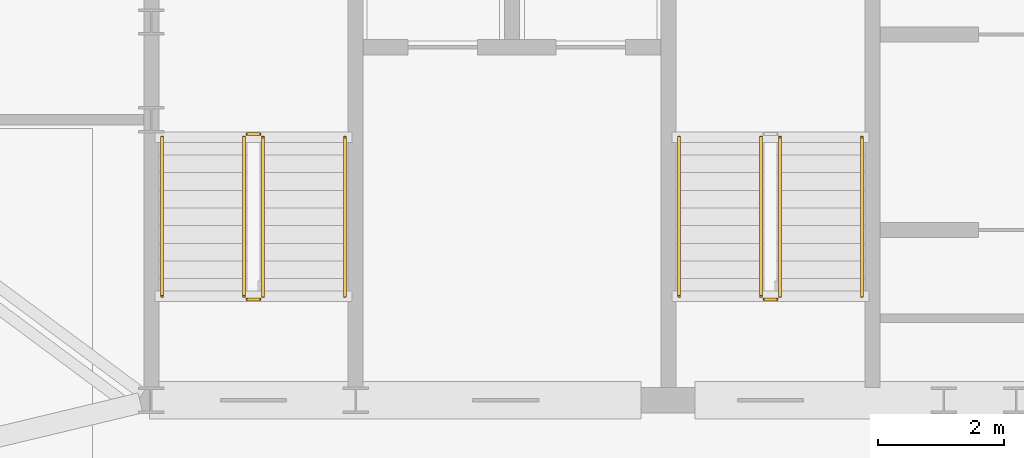
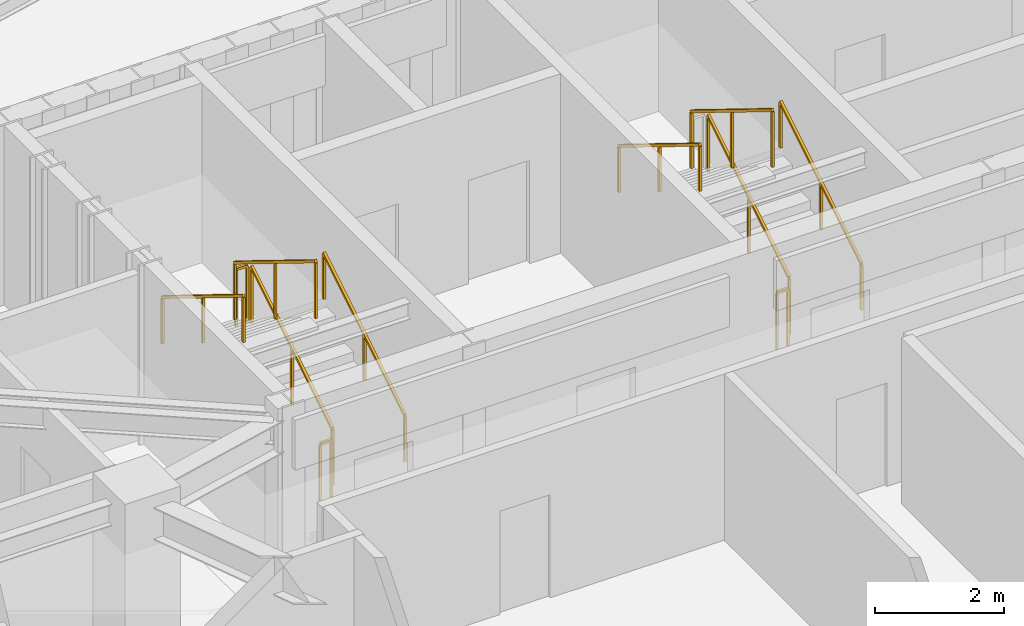
# One storey, part 7 of 10: 11 railings.
"""IFC4 building model written with IfcOpenShell, lengths in metres."""

from ifc_helpers import new_model, si_unit, direction, frame, origin, origin_2d, place, context, subcontext, project, spatial, rectangle, extrude, material, type_object, element, save


model = new_model("IFC4")

# Units and contexts
model_context = context("Model", 3, precision=1e-05, world=origin(), true_north=direction((0.0, 1.0)))
body_context = subcontext(model_context, "Body", "Model", "MODEL_VIEW")
ifc_project = project(units=[si_unit("LENGTHUNIT", "METRE"), si_unit("AREAUNIT", "SQUARE_METRE"), si_unit("VOLUMEUNIT", "CUBIC_METRE"), si_unit("PLANEANGLEUNIT", "RADIAN"), si_unit("MASSUNIT", "GRAM", prefix="KILO")], contexts=[model_context])

# Site, building, storey
site_placement = place(None, origin())
site = spatial("IfcSite", under=ifc_project, at=site_placement, CompositionType="ELEMENT")
building_placement = place(site_placement, origin())
building = spatial("IfcBuilding", under=site, at=building_placement, Name="Haldorwick Loom Tower", CompositionType="ELEMENT")
storey_placement = place(building_placement, frame((0.0, 0.0, 240.89990234375)))
storey = spatial("IfcBuildingStorey", under=building, at=storey_placement, Name="L65", CompositionType="ELEMENT", Elevation=240.89990234375)

# Railings
ifc_material = material(Name="Steel CSA G40.21 350W", Category="steel")
railing_type_1 = type_object("IfcRailingType", Name="ARC-RLG-GUARD112", PredefinedType="GUARDRAIL", material=ifc_material)
railing_1_placement = place(storey_placement, frame((23.699951171875, 28.39990234375, 0.172607421875)))
element("IfcRailing", 1, at=railing_1_placement, inside=storey, type_object=railing_type_1, Name="L65 ST-01 stair guard 1", PredefinedType="GUARDRAIL", context=body_context, shape_type="SweptSolid", body=[
    extrude(rectangle(XDim=0.048095703125, YDim=0.048095703125, at=origin_2d()), frame((0.0, 0.0, 1.076171875), z_axis=(0.0, 0.851400495292, 0.524516154772), x_axis=(-1.0, 0.0, 0.0)), (0.0, 0.0, 1.0), 2.9599609375),
    extrude(rectangle(XDim=0.0419921875, YDim=0.0419921875, at=origin_2d()), origin(), (0.0, 0.0, 1.0), 1.052001953125),
    extrude(rectangle(XDim=0.0419921875, YDim=0.0419921875, at=origin_2d()), frame((0.0, 1.260009765625, 0.7763671875)), (0.0, 0.0, 1.0), 1.052001953125),
    extrude(rectangle(XDim=0.0419921875, YDim=0.0419921875, at=origin_2d()), frame((0.0, 2.52001953125, 1.552490234375)), (0.0, 0.0, 1.0), 1.052001953125),
])
railing_2_placement = place(storey_placement, frame((23.64990234375, 30.969970703125, 1.72509765625)))
element("IfcRailing", 2, at=railing_2_placement, inside=storey, type_object=railing_type_1, Name="L65 ST-01 stair guard 2", PredefinedType="GUARDRAIL", context=body_context, shape_type="SweptSolid", body=[
    extrude(rectangle(XDim=0.048095703125, YDim=0.048095703125, at=origin_2d()), frame((0.0, 0.0, 1.076171875), z_axis=(-1.0, 0.0, 0.0), x_axis=(0.0, -1.0, 0.0)), (0.0, 0.0, 1.0), 0.199951171875),
    extrude(rectangle(XDim=0.0419921875, YDim=0.0419921875, at=origin_2d()), origin(), (0.0, 0.0, 1.0), 1.052001953125),
    extrude(rectangle(XDim=0.0419921875, YDim=0.0419921875, at=origin_2d()), frame((-0.199951171875, 0.0, 0.0)), (0.0, 0.0, 1.0), 1.052001953125),
])
railing_3_placement = place(storey_placement, frame((23.39990234375, 30.919921875, 1.897705078125)))
element("IfcRailing", 3, at=railing_3_placement, inside=storey, type_object=railing_type_1, Name="L65 ST-01 stair guard 3", PredefinedType="GUARDRAIL", context=body_context, shape_type="SweptSolid", body=[
    extrude(rectangle(XDim=0.048095703125, YDim=0.048095703125, at=origin_2d()), frame((0.0, 0.0, 1.076171875), z_axis=(0.0, -0.851400495292, 0.524516154772), x_axis=(1.0, 0.0, 0.0)), (0.0, 0.0, 1.0), 2.9599609375),
    extrude(rectangle(XDim=0.0419921875, YDim=0.0419921875, at=origin_2d()), origin(), (0.0, 0.0, 1.0), 1.052001953125),
    extrude(rectangle(XDim=0.0419921875, YDim=0.0419921875, at=origin_2d()), frame((0.0, -1.260009765625, 0.7763671875)), (0.0, 0.0, 1.0), 1.052001953125),
    extrude(rectangle(XDim=0.0419921875, YDim=0.0419921875, at=origin_2d()), frame((0.0, -2.52001953125, 1.552490234375)), (0.0, 0.0, 1.0), 1.052001953125),
])
railing_4_placement = place(storey_placement, frame((23.64990234375, 28.35009765625, 0.0)))
element("IfcRailing", 4, at=railing_4_placement, inside=storey, type_object=railing_type_1, Name="L65 ST-01 stair guard 4", PredefinedType="GUARDRAIL", context=body_context, shape_type="SweptSolid", body=[
    extrude(rectangle(XDim=0.048095703125, YDim=0.048095703125, at=origin_2d()), frame((0.0, 0.0, 1.076171875), z_axis=(-1.0, 0.0, 0.0), x_axis=(0.0, -1.0, 0.0)), (0.0, 0.0, 1.0), 0.199951171875),
    extrude(rectangle(XDim=0.0419921875, YDim=0.0419921875, at=origin_2d()), origin(), (0.0, 0.0, 1.0), 1.052001953125),
    extrude(rectangle(XDim=0.0419921875, YDim=0.0419921875, at=origin_2d()), frame((-0.199951171875, 0.0, 0.0)), (0.0, 0.0, 1.0), 1.052001953125),
])
railing_5_placement = place(storey_placement, frame((31.89990234375, 28.39990234375, 0.172607421875)))
element("IfcRailing", 5, at=railing_5_placement, inside=storey, type_object=railing_type_1, Name="L65 ST-03 stair guard 1", PredefinedType="GUARDRAIL", context=body_context, shape_type="SweptSolid", body=[
    extrude(rectangle(XDim=0.048095703125, YDim=0.048095703125, at=origin_2d()), frame((0.0, 0.0, 1.076171875), z_axis=(0.0, 0.851400495292, 0.524516154772), x_axis=(-1.0, 0.0, 0.0)), (0.0, 0.0, 1.0), 2.9599609375),
    extrude(rectangle(XDim=0.0419921875, YDim=0.0419921875, at=origin_2d()), origin(), (0.0, 0.0, 1.0), 1.052001953125),
    extrude(rectangle(XDim=0.0419921875, YDim=0.0419921875, at=origin_2d()), frame((0.0, 1.260009765625, 0.7763671875)), (0.0, 0.0, 1.0), 1.052001953125),
    extrude(rectangle(XDim=0.0419921875, YDim=0.0419921875, at=origin_2d()), frame((0.0, 2.52001953125, 1.552490234375)), (0.0, 0.0, 1.0), 1.052001953125),
])
railing_6_placement = place(storey_placement, frame((31.60009765625, 30.919921875, 1.897705078125)))
element("IfcRailing", 6, at=railing_6_placement, inside=storey, type_object=railing_type_1, Name="L65 ST-03 stair guard 3", PredefinedType="GUARDRAIL", context=body_context, shape_type="SweptSolid", body=[
    extrude(rectangle(XDim=0.048095703125, YDim=0.048095703125, at=origin_2d()), frame((0.0, 0.0, 1.076171875), z_axis=(0.0, -0.851400495292, 0.524516154772), x_axis=(1.0, 0.0, 0.0)), (0.0, 0.0, 1.0), 2.9599609375),
    extrude(rectangle(XDim=0.0419921875, YDim=0.0419921875, at=origin_2d()), origin(), (0.0, 0.0, 1.0), 1.052001953125),
    extrude(rectangle(XDim=0.0419921875, YDim=0.0419921875, at=origin_2d()), frame((0.0, -1.260009765625, 0.7763671875)), (0.0, 0.0, 1.0), 1.052001953125),
    extrude(rectangle(XDim=0.0419921875, YDim=0.0419921875, at=origin_2d()), frame((0.0, -2.52001953125, 1.552490234375)), (0.0, 0.0, 1.0), 1.052001953125),
])
railing_7_placement = place(storey_placement, frame((31.85009765625, 28.35009765625, 0.0)))
element("IfcRailing", 7, at=railing_7_placement, inside=storey, type_object=railing_type_1, Name="L65 ST-03 stair guard 4", PredefinedType="GUARDRAIL", context=body_context, shape_type="SweptSolid", body=[
    extrude(rectangle(XDim=0.048095703125, YDim=0.048095703125, at=origin_2d()), frame((0.0, 0.0, 1.076171875), z_axis=(-1.0, 0.0, 0.0), x_axis=(0.0, -1.0, 0.0)), (0.0, 0.0, 1.0), 0.2001953125),
    extrude(rectangle(XDim=0.0419921875, YDim=0.0419921875, at=origin_2d()), origin(), (0.0, 0.0, 1.0), 1.052001953125),
    extrude(rectangle(XDim=0.0419921875, YDim=0.0419921875, at=origin_2d()), frame((-0.2001953125, 0.0, 0.0)), (0.0, 0.0, 1.0), 1.052001953125),
])
railing_type_2 = type_object("IfcRailingType", Name="ARC-RLG-HAND092", PredefinedType="HANDRAIL", material=ifc_material)
railing_8_placement = place(storey_placement, frame((25.0, 28.39990234375, 0.172607421875)))
element("IfcRailing", 8, at=railing_8_placement, inside=storey, type_object=railing_type_2, Name="L65 ST-01 stair handrail 1", PredefinedType="HANDRAIL", context=body_context, shape_type="SweptSolid", body=[
    extrude(rectangle(XDim=0.048095703125, YDim=0.048095703125, at=origin_2d()), frame((0.0, 0.0, 0.8759765625), z_axis=(0.0, 0.851400495292, 0.524516154772), x_axis=(-1.0, 0.0, 0.0)), (0.0, 0.0, 1.0), 2.9599609375),
    extrude(rectangle(XDim=0.0419921875, YDim=0.0419921875, at=origin_2d()), origin(), (0.0, 0.0, 1.0), 0.851806640625),
    extrude(rectangle(XDim=0.0419921875, YDim=0.0419921875, at=origin_2d()), frame((0.0, 1.260009765625, 0.7763671875)), (0.0, 0.0, 1.0), 0.851806640625),
    extrude(rectangle(XDim=0.0419921875, YDim=0.0419921875, at=origin_2d()), frame((0.0, 2.52001953125, 1.552490234375)), (0.0, 0.0, 1.0), 0.851806640625),
])
railing_9_placement = place(storey_placement, frame((22.10009765625, 30.919921875, 1.897705078125)))
element("IfcRailing", 9, at=railing_9_placement, inside=storey, type_object=railing_type_2, Name="L65 ST-01 stair handrail 2", PredefinedType="HANDRAIL", context=body_context, shape_type="SweptSolid", body=[
    extrude(rectangle(XDim=0.048095703125, YDim=0.048095703125, at=origin_2d()), frame((0.0, 0.0, 0.8759765625), z_axis=(0.0, -0.851400495292, 0.524516154772), x_axis=(1.0, 0.0, 0.0)), (0.0, 0.0, 1.0), 2.9599609375),
    extrude(rectangle(XDim=0.0419921875, YDim=0.0419921875, at=origin_2d()), origin(), (0.0, 0.0, 1.0), 0.851806640625),
    extrude(rectangle(XDim=0.0419921875, YDim=0.0419921875, at=origin_2d()), frame((0.0, -1.260009765625, 0.7763671875)), (0.0, 0.0, 1.0), 0.851806640625),
    extrude(rectangle(XDim=0.0419921875, YDim=0.0419921875, at=origin_2d()), frame((0.0, -2.52001953125, 1.552490234375)), (0.0, 0.0, 1.0), 0.851806640625),
])
railing_10_placement = place(storey_placement, frame((33.199951171875, 28.39990234375, 0.172607421875)))
element("IfcRailing", 10, at=railing_10_placement, inside=storey, type_object=railing_type_2, Name="L65 ST-03 stair handrail 1", PredefinedType="HANDRAIL", context=body_context, shape_type="SweptSolid", body=[
    extrude(rectangle(XDim=0.048095703125, YDim=0.048095703125, at=origin_2d()), frame((0.0, 0.0, 0.8759765625), z_axis=(0.0, 0.851400495292, 0.524516154772), x_axis=(-1.0, 0.0, 0.0)), (0.0, 0.0, 1.0), 2.9599609375),
    extrude(rectangle(XDim=0.0419921875, YDim=0.0419921875, at=origin_2d()), origin(), (0.0, 0.0, 1.0), 0.851806640625),
    extrude(rectangle(XDim=0.0419921875, YDim=0.0419921875, at=origin_2d()), frame((0.0, 1.260009765625, 0.7763671875)), (0.0, 0.0, 1.0), 0.851806640625),
    extrude(rectangle(XDim=0.0419921875, YDim=0.0419921875, at=origin_2d()), frame((0.0, 2.52001953125, 1.552490234375)), (0.0, 0.0, 1.0), 0.851806640625),
])
railing_11_placement = place(storey_placement, frame((30.300048828125, 30.919921875, 1.897705078125)))
element("IfcRailing", 11, at=railing_11_placement, inside=storey, type_object=railing_type_2, Name="L65 ST-03 stair handrail 2", PredefinedType="HANDRAIL", context=body_context, shape_type="SweptSolid", body=[
    extrude(rectangle(XDim=0.048095703125, YDim=0.048095703125, at=origin_2d()), frame((0.0, 0.0, 0.8759765625), z_axis=(0.0, -0.851400495292, 0.524516154772), x_axis=(1.0, 0.0, 0.0)), (0.0, 0.0, 1.0), 2.9599609375),
    extrude(rectangle(XDim=0.0419921875, YDim=0.0419921875, at=origin_2d()), origin(), (0.0, 0.0, 1.0), 0.851806640625),
    extrude(rectangle(XDim=0.0419921875, YDim=0.0419921875, at=origin_2d()), frame((0.0, -1.260009765625, 0.7763671875)), (0.0, 0.0, 1.0), 0.851806640625),
    extrude(rectangle(XDim=0.0419921875, YDim=0.0419921875, at=origin_2d()), frame((0.0, -2.52001953125, 1.552490234375)), (0.0, 0.0, 1.0), 0.851806640625),
])

save(model, "model.ifc")
